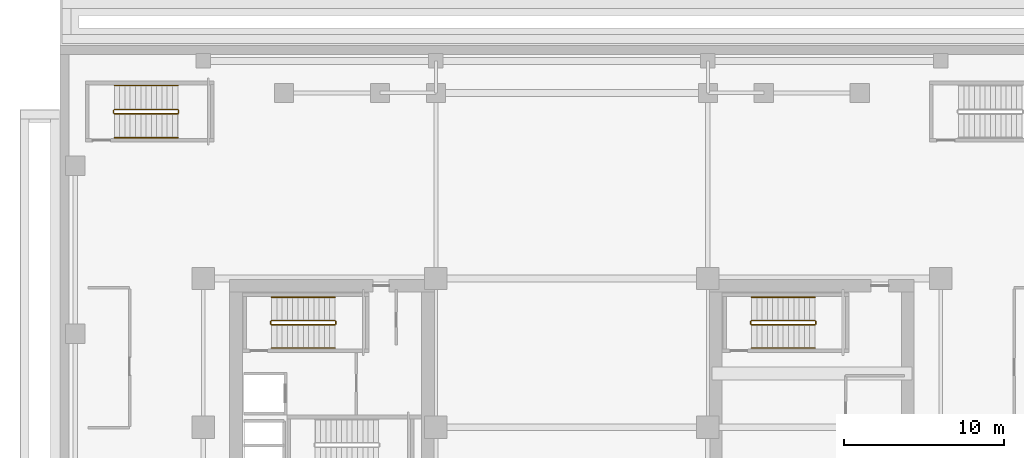
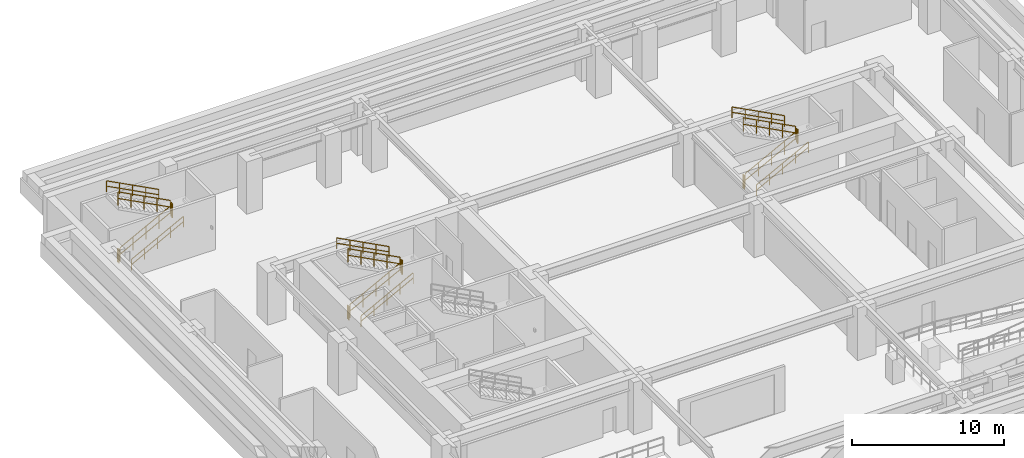
# One storey, part 8 of 9: 18 railings.
"""IFC4 building model written with IfcOpenShell, lengths in metres."""

from ifc_helpers import new_model, si_unit, direction, frame, origin, origin_2d, place, context, subcontext, project, spatial, rectangle, extrude, material, type_object, element, save


model = new_model("IFC4")

# Units and contexts
model_context = context("Model", 3, precision=1e-05, world=origin(), true_north=direction((0.0, 1.0)))
body_context = subcontext(model_context, "Body", "Model", "MODEL_VIEW")
ifc_project = project(units=[si_unit("LENGTHUNIT", "METRE"), si_unit("AREAUNIT", "SQUARE_METRE"), si_unit("VOLUMEUNIT", "CUBIC_METRE"), si_unit("PLANEANGLEUNIT", "RADIAN"), si_unit("MASSUNIT", "GRAM", prefix="KILO")], contexts=[model_context])

# Site, building, storey
site_placement = place(None, origin())
site = spatial("IfcSite", under=ifc_project, at=site_placement, CompositionType="ELEMENT")
building_placement = place(site_placement, origin())
building = spatial("IfcBuilding", under=site, at=building_placement, Name="Ocotamira Hotel", CompositionType="ELEMENT")
storey_placement = place(building_placement, frame((0.0, 0.0, -4.5)))
storey = spatial("IfcBuildingStorey", under=building, at=storey_placement, Name="B01", CompositionType="ELEMENT", Elevation=-4.5)

# Railings
ifc_material_1 = material(Name="Brushed stainless steel handrail", Category="steel")
railing_type_1 = type_object("IfcRailingType", Name="RL-HAND-900", PredefinedType="HANDRAIL", material=ifc_material_1)
railing_1_placement = place(storey_placement, frame((13.22998046875, 33.10009765625, 0.34619140625)))
element("IfcRailing", 1, at=railing_1_placement, inside=storey, type_object=railing_type_1, Name="B01 ST-2 stair handrail 1", PredefinedType="HANDRAIL", context=body_context, shape_type="SweptSolid", body=[
    extrude(rectangle(XDim=0.048095703125, YDim=0.048095703125, at=origin_2d()), frame((0.0, 0.0, 0.8759765625), z_axis=(0.885588829464, 0.0, 0.464470047611), x_axis=(0.0, 1.0, 0.0)), (0.0, 0.0, 1.0), 4.471435546875),
    extrude(rectangle(XDim=0.048095703125, YDim=0.048095703125, at=origin_2d()), frame((0.0, 0.0, 0.449951171875), z_axis=(0.885588829464, 0.0, 0.464470047611), x_axis=(0.0, 1.0, 0.0)), (0.0, 0.0, 1.0), 4.471435546875),
    extrude(rectangle(XDim=0.0419921875, YDim=0.0419921875, at=origin_2d()), origin(), (0.0, 0.0, 1.0), 0.851806640625),
    extrude(rectangle(XDim=0.0419921875, YDim=0.0419921875, at=origin_2d()), frame((0.989990234375, 0.0, 0.519287109375)), (0.0, 0.0, 1.0), 0.851806640625),
    extrude(rectangle(XDim=0.0419921875, YDim=0.0419921875, at=origin_2d()), frame((1.97998046875, 0.0, 1.03857421875)), (0.0, 0.0, 1.0), 0.851806640625),
    extrude(rectangle(XDim=0.0419921875, YDim=0.0419921875, at=origin_2d()), frame((2.969970703125, 0.0, 1.5576171875)), (0.0, 0.0, 1.0), 0.851806640625),
    extrude(rectangle(XDim=0.0419921875, YDim=0.0419921875, at=origin_2d()), frame((3.9599609375, 0.0, 2.076904296875)), (0.0, 0.0, 1.0), 0.851806640625),
])
railing_2_placement = place(storey_placement, frame((17.18994140625, 36.280029296875, 2.59619140625)))
element("IfcRailing", 2, at=railing_2_placement, inside=storey, type_object=railing_type_1, Name="B01 ST-2 stair handrail 2", PredefinedType="HANDRAIL", context=body_context, shape_type="SweptSolid", body=[
    extrude(rectangle(XDim=0.048095703125, YDim=0.048095703125, at=origin_2d()), frame((0.0, 0.0, 0.8759765625), z_axis=(-0.885588829464, 0.0, 0.464470047611), x_axis=(0.0, -1.0, 0.0)), (0.0, 0.0, 1.0), 4.471435546875),
    extrude(rectangle(XDim=0.048095703125, YDim=0.048095703125, at=origin_2d()), frame((0.0, 0.0, 0.449951171875), z_axis=(-0.885588829464, 0.0, 0.464470047611), x_axis=(0.0, -1.0, 0.0)), (0.0, 0.0, 1.0), 4.471435546875),
    extrude(rectangle(XDim=0.0419921875, YDim=0.0419921875, at=origin_2d()), origin(), (0.0, 0.0, 1.0), 0.851806640625),
    extrude(rectangle(XDim=0.0419921875, YDim=0.0419921875, at=origin_2d()), frame((-0.989990234375, 0.0, 0.519287109375)), (0.0, 0.0, 1.0), 0.851806640625),
    extrude(rectangle(XDim=0.0419921875, YDim=0.0419921875, at=origin_2d()), frame((-1.97998046875, 0.0, 1.03857421875)), (0.0, 0.0, 1.0), 0.851806640625),
    extrude(rectangle(XDim=0.0419921875, YDim=0.0419921875, at=origin_2d()), frame((-2.969970703125, 0.0, 1.5576171875)), (0.0, 0.0, 1.0), 0.851806640625),
    extrude(rectangle(XDim=0.0419921875, YDim=0.0419921875, at=origin_2d()), frame((-3.9599609375, 0.0, 2.076904296875)), (0.0, 0.0, 1.0), 0.851806640625),
])
railing_3_placement = place(storey_placement, frame((43.22998046875, 33.10009765625, 0.34619140625)))
element("IfcRailing", 3, at=railing_3_placement, inside=storey, type_object=railing_type_1, Name="B01 ST-4 stair handrail 1", PredefinedType="HANDRAIL", context=body_context, shape_type="SweptSolid", body=[
    extrude(rectangle(XDim=0.048095703125, YDim=0.048095703125, at=origin_2d()), frame((0.0, 0.0, 0.8759765625), z_axis=(0.885588829464, 0.0, 0.464470047611), x_axis=(0.0, 1.0, 0.0)), (0.0, 0.0, 1.0), 4.471435546875),
    extrude(rectangle(XDim=0.048095703125, YDim=0.048095703125, at=origin_2d()), frame((0.0, 0.0, 0.449951171875), z_axis=(0.885588829464, 0.0, 0.464470047611), x_axis=(0.0, 1.0, 0.0)), (0.0, 0.0, 1.0), 4.471435546875),
    extrude(rectangle(XDim=0.0419921875, YDim=0.0419921875, at=origin_2d()), origin(), (0.0, 0.0, 1.0), 0.851806640625),
    extrude(rectangle(XDim=0.0419921875, YDim=0.0419921875, at=origin_2d()), frame((0.989990234375, 0.0, 0.519287109375)), (0.0, 0.0, 1.0), 0.851806640625),
    extrude(rectangle(XDim=0.0419921875, YDim=0.0419921875, at=origin_2d()), frame((1.97998046875, 0.0, 1.03857421875)), (0.0, 0.0, 1.0), 0.851806640625),
    extrude(rectangle(XDim=0.0419921875, YDim=0.0419921875, at=origin_2d()), frame((2.969970703125, 0.0, 1.5576171875)), (0.0, 0.0, 1.0), 0.851806640625),
    extrude(rectangle(XDim=0.0419921875, YDim=0.0419921875, at=origin_2d()), frame((3.9599609375, 0.0, 2.076904296875)), (0.0, 0.0, 1.0), 0.851806640625),
])
railing_4_placement = place(storey_placement, frame((47.18994140625, 36.280029296875, 2.59619140625)))
element("IfcRailing", 4, at=railing_4_placement, inside=storey, type_object=railing_type_1, Name="B01 ST-4 stair handrail 2", PredefinedType="HANDRAIL", context=body_context, shape_type="SweptSolid", body=[
    extrude(rectangle(XDim=0.048095703125, YDim=0.048095703125, at=origin_2d()), frame((0.0, 0.0, 0.8759765625), z_axis=(-0.885588829464, 0.0, 0.464470047611), x_axis=(0.0, -1.0, 0.0)), (0.0, 0.0, 1.0), 4.471435546875),
    extrude(rectangle(XDim=0.048095703125, YDim=0.048095703125, at=origin_2d()), frame((0.0, 0.0, 0.449951171875), z_axis=(-0.885588829464, 0.0, 0.464470047611), x_axis=(0.0, -1.0, 0.0)), (0.0, 0.0, 1.0), 4.471435546875),
    extrude(rectangle(XDim=0.0419921875, YDim=0.0419921875, at=origin_2d()), origin(), (0.0, 0.0, 1.0), 0.851806640625),
    extrude(rectangle(XDim=0.0419921875, YDim=0.0419921875, at=origin_2d()), frame((-0.989990234375, 0.0, 0.519287109375)), (0.0, 0.0, 1.0), 0.851806640625),
    extrude(rectangle(XDim=0.0419921875, YDim=0.0419921875, at=origin_2d()), frame((-1.97998046875, 0.0, 1.03857421875)), (0.0, 0.0, 1.0), 0.851806640625),
    extrude(rectangle(XDim=0.0419921875, YDim=0.0419921875, at=origin_2d()), frame((-2.969970703125, 0.0, 1.5576171875)), (0.0, 0.0, 1.0), 0.851806640625),
    extrude(rectangle(XDim=0.0419921875, YDim=0.0419921875, at=origin_2d()), frame((-3.9599609375, 0.0, 2.076904296875)), (0.0, 0.0, 1.0), 0.851806640625),
])
railing_5_placement = place(storey_placement, frame((3.39990234375, 46.25, 0.34619140625)))
element("IfcRailing", 5, at=railing_5_placement, inside=storey, type_object=railing_type_1, Name="B01 ST-5 stair handrail 1", PredefinedType="HANDRAIL", context=body_context, shape_type="SweptSolid", body=[
    extrude(rectangle(XDim=0.048095703125, YDim=0.048095703125, at=origin_2d()), frame((0.0, 0.0, 0.8759765625), z_axis=(0.885600607292, 0.0, 0.464447590545), x_axis=(0.0, 1.0, 0.0)), (0.0, 0.0, 1.0), 4.4716796875),
    extrude(rectangle(XDim=0.048095703125, YDim=0.048095703125, at=origin_2d()), frame((0.0, 0.0, 0.449951171875), z_axis=(0.885600607292, 0.0, 0.464447590545), x_axis=(0.0, 1.0, 0.0)), (0.0, 0.0, 1.0), 4.4716796875),
    extrude(rectangle(XDim=0.0419921875, YDim=0.0419921875, at=origin_2d()), origin(), (0.0, 0.0, 1.0), 0.851806640625),
    extrude(rectangle(XDim=0.0419921875, YDim=0.0419921875, at=origin_2d()), frame((0.989990234375, 0.0, 0.519287109375)), (0.0, 0.0, 1.0), 0.851806640625),
    extrude(rectangle(XDim=0.0419921875, YDim=0.0419921875, at=origin_2d()), frame((1.97998046875, 0.0, 1.03857421875)), (0.0, 0.0, 1.0), 0.851806640625),
    extrude(rectangle(XDim=0.0419921875, YDim=0.0419921875, at=origin_2d()), frame((2.97021484375, 0.0, 1.5576171875)), (0.0, 0.0, 1.0), 0.851806640625),
    extrude(rectangle(XDim=0.0419921875, YDim=0.0419921875, at=origin_2d()), frame((3.960205078125, 0.0, 2.076904296875)), (0.0, 0.0, 1.0), 0.851806640625),
])
railing_6_placement = place(storey_placement, frame((7.360107421875, 49.510009765625, 2.59619140625)))
element("IfcRailing", 6, at=railing_6_placement, inside=storey, type_object=railing_type_1, Name="B01 ST-5 stair handrail 2", PredefinedType="HANDRAIL", context=body_context, shape_type="SweptSolid", body=[
    extrude(rectangle(XDim=0.048095703125, YDim=0.048095703125, at=origin_2d()), frame((0.0, 0.0, 0.8759765625), z_axis=(-0.885600607292, 0.0, 0.464447590545), x_axis=(0.0, -1.0, 0.0)), (0.0, 0.0, 1.0), 4.4716796875),
    extrude(rectangle(XDim=0.048095703125, YDim=0.048095703125, at=origin_2d()), frame((0.0, 0.0, 0.449951171875), z_axis=(-0.885600607292, 0.0, 0.464447590545), x_axis=(0.0, -1.0, 0.0)), (0.0, 0.0, 1.0), 4.4716796875),
    extrude(rectangle(XDim=0.0419921875, YDim=0.0419921875, at=origin_2d()), origin(), (0.0, 0.0, 1.0), 0.851806640625),
    extrude(rectangle(XDim=0.0419921875, YDim=0.0419921875, at=origin_2d()), frame((-0.989990234375, 0.0, 0.519287109375)), (0.0, 0.0, 1.0), 0.851806640625),
    extrude(rectangle(XDim=0.0419921875, YDim=0.0419921875, at=origin_2d()), frame((-1.97998046875, 0.0, 1.03857421875)), (0.0, 0.0, 1.0), 0.851806640625),
    extrude(rectangle(XDim=0.0419921875, YDim=0.0419921875, at=origin_2d()), frame((-2.97021484375, 0.0, 1.5576171875)), (0.0, 0.0, 1.0), 0.851806640625),
    extrude(rectangle(XDim=0.0419921875, YDim=0.0419921875, at=origin_2d()), frame((-3.960205078125, 0.0, 2.076904296875)), (0.0, 0.0, 1.0), 0.851806640625),
])
ifc_material_2 = material(Name="Painted steel stair guardrail", Category="steel")
railing_type_2 = type_object("IfcRailingType", Name="RL-STAIR-1100", PredefinedType="GUARDRAIL", material=ifc_material_2)
railing_7_placement = place(storey_placement, frame((13.22998046875, 34.56005859375, 0.173095703125)))
element("IfcRailing", 7, at=railing_7_placement, inside=storey, type_object=railing_type_2, Name="B01 ST-2 stair guard 1", PredefinedType="GUARDRAIL", context=body_context, shape_type="SweptSolid", body=[
    extrude(rectangle(XDim=0.048095703125, YDim=0.048095703125, at=origin_2d()), frame((0.0, 0.0, 1.076171875), z_axis=(0.885588829464, 0.0, 0.464470047611), x_axis=(0.0, 1.0, 0.0)), (0.0, 0.0, 1.0), 4.471435546875),
    extrude(rectangle(XDim=0.048095703125, YDim=0.048095703125, at=origin_2d()), frame((0.0, 0.0, 0.550048828125), z_axis=(0.885588829464, 0.0, 0.464470047611), x_axis=(0.0, 1.0, 0.0)), (0.0, 0.0, 1.0), 4.471435546875),
    extrude(rectangle(XDim=0.0419921875, YDim=0.0419921875, at=origin_2d()), origin(), (0.0, 0.0, 1.0), 1.052001953125),
    extrude(rectangle(XDim=0.0419921875, YDim=0.0419921875, at=origin_2d()), frame((0.989990234375, 0.0, 0.519287109375)), (0.0, 0.0, 1.0), 1.052001953125),
    extrude(rectangle(XDim=0.0419921875, YDim=0.0419921875, at=origin_2d()), frame((1.97998046875, 0.0, 1.03857421875)), (0.0, 0.0, 1.0), 1.052001953125),
    extrude(rectangle(XDim=0.0419921875, YDim=0.0419921875, at=origin_2d()), frame((2.969970703125, 0.0, 1.5576171875)), (0.0, 0.0, 1.0), 1.052001953125),
    extrude(rectangle(XDim=0.0419921875, YDim=0.0419921875, at=origin_2d()), frame((3.9599609375, 0.0, 2.076904296875)), (0.0, 0.0, 1.0), 1.052001953125),
])
railing_8_placement = place(storey_placement, frame((17.239990234375, 34.610107421875, 2.25)))
element("IfcRailing", 8, at=railing_8_placement, inside=storey, type_object=railing_type_2, Name="B01 ST-2 stair guard 2", PredefinedType="GUARDRAIL", context=body_context, shape_type="SweptSolid", body=[
    extrude(rectangle(XDim=0.048095703125, YDim=0.048095703125, at=origin_2d()), frame((0.0, 0.0, 1.076171875), z_axis=(0.0, 1.0, 0.0), x_axis=(-1.0, 0.0, 0.0)), (0.0, 0.0, 1.0), 0.159912109375),
    extrude(rectangle(XDim=0.048095703125, YDim=0.048095703125, at=origin_2d()), frame((0.0, 0.0, 0.550048828125), z_axis=(0.0, 1.0, 0.0), x_axis=(-1.0, 0.0, 0.0)), (0.0, 0.0, 1.0), 0.159912109375),
    extrude(rectangle(XDim=0.0419921875, YDim=0.0419921875, at=origin_2d()), origin(), (0.0, 0.0, 1.0), 1.052001953125),
    extrude(rectangle(XDim=0.0419921875, YDim=0.0419921875, at=origin_2d()), frame((0.0, 0.159912109375, 0.0)), (0.0, 0.0, 1.0), 1.052001953125),
])
railing_9_placement = place(storey_placement, frame((17.18994140625, 34.820068359375, 2.423095703125)))
element("IfcRailing", 9, at=railing_9_placement, inside=storey, type_object=railing_type_2, Name="B01 ST-2 stair guard 3", PredefinedType="GUARDRAIL", context=body_context, shape_type="SweptSolid", body=[
    extrude(rectangle(XDim=0.048095703125, YDim=0.048095703125, at=origin_2d()), frame((0.0, 0.0, 1.076171875), z_axis=(-0.885588829464, 0.0, 0.464470047611), x_axis=(0.0, -1.0, 0.0)), (0.0, 0.0, 1.0), 4.471435546875),
    extrude(rectangle(XDim=0.048095703125, YDim=0.048095703125, at=origin_2d()), frame((0.0, 0.0, 0.550048828125), z_axis=(-0.885588829464, 0.0, 0.464470047611), x_axis=(0.0, -1.0, 0.0)), (0.0, 0.0, 1.0), 4.471435546875),
    extrude(rectangle(XDim=0.0419921875, YDim=0.0419921875, at=origin_2d()), origin(), (0.0, 0.0, 1.0), 1.052001953125),
    extrude(rectangle(XDim=0.0419921875, YDim=0.0419921875, at=origin_2d()), frame((-0.989990234375, 0.0, 0.519287109375)), (0.0, 0.0, 1.0), 1.052001953125),
    extrude(rectangle(XDim=0.0419921875, YDim=0.0419921875, at=origin_2d()), frame((-1.97998046875, 0.0, 1.03857421875)), (0.0, 0.0, 1.0), 1.052001953125),
    extrude(rectangle(XDim=0.0419921875, YDim=0.0419921875, at=origin_2d()), frame((-2.969970703125, 0.0, 1.5576171875)), (0.0, 0.0, 1.0), 1.052001953125),
    extrude(rectangle(XDim=0.0419921875, YDim=0.0419921875, at=origin_2d()), frame((-3.9599609375, 0.0, 2.076904296875)), (0.0, 0.0, 1.0), 1.052001953125),
])
railing_10_placement = place(storey_placement, frame((13.179931640625, 34.610107421875, 0.0)))
element("IfcRailing", 10, at=railing_10_placement, inside=storey, type_object=railing_type_2, Name="B01 ST-2 stair guard 4", PredefinedType="GUARDRAIL", context=body_context, shape_type="SweptSolid", body=[
    extrude(rectangle(XDim=0.048095703125, YDim=0.048095703125, at=origin_2d()), frame((0.0, 0.0, 1.076171875), z_axis=(0.0, 1.0, 0.0), x_axis=(-1.0, 0.0, 0.0)), (0.0, 0.0, 1.0), 0.159912109375),
    extrude(rectangle(XDim=0.048095703125, YDim=0.048095703125, at=origin_2d()), frame((0.0, 0.0, 0.550048828125), z_axis=(0.0, 1.0, 0.0), x_axis=(-1.0, 0.0, 0.0)), (0.0, 0.0, 1.0), 0.159912109375),
    extrude(rectangle(XDim=0.0419921875, YDim=0.0419921875, at=origin_2d()), origin(), (0.0, 0.0, 1.0), 1.052001953125),
    extrude(rectangle(XDim=0.0419921875, YDim=0.0419921875, at=origin_2d()), frame((0.0, 0.159912109375, 0.0)), (0.0, 0.0, 1.0), 1.052001953125),
])
railing_11_placement = place(storey_placement, frame((43.22998046875, 34.56005859375, 0.173095703125)))
element("IfcRailing", 11, at=railing_11_placement, inside=storey, type_object=railing_type_2, Name="B01 ST-4 stair guard 1", PredefinedType="GUARDRAIL", context=body_context, shape_type="SweptSolid", body=[
    extrude(rectangle(XDim=0.048095703125, YDim=0.048095703125, at=origin_2d()), frame((0.0, 0.0, 1.076171875), z_axis=(0.885588829464, 0.0, 0.464470047611), x_axis=(0.0, 1.0, 0.0)), (0.0, 0.0, 1.0), 4.471435546875),
    extrude(rectangle(XDim=0.048095703125, YDim=0.048095703125, at=origin_2d()), frame((0.0, 0.0, 0.550048828125), z_axis=(0.885588829464, 0.0, 0.464470047611), x_axis=(0.0, 1.0, 0.0)), (0.0, 0.0, 1.0), 4.471435546875),
    extrude(rectangle(XDim=0.0419921875, YDim=0.0419921875, at=origin_2d()), origin(), (0.0, 0.0, 1.0), 1.052001953125),
    extrude(rectangle(XDim=0.0419921875, YDim=0.0419921875, at=origin_2d()), frame((0.989990234375, 0.0, 0.519287109375)), (0.0, 0.0, 1.0), 1.052001953125),
    extrude(rectangle(XDim=0.0419921875, YDim=0.0419921875, at=origin_2d()), frame((1.97998046875, 0.0, 1.03857421875)), (0.0, 0.0, 1.0), 1.052001953125),
    extrude(rectangle(XDim=0.0419921875, YDim=0.0419921875, at=origin_2d()), frame((2.969970703125, 0.0, 1.5576171875)), (0.0, 0.0, 1.0), 1.052001953125),
    extrude(rectangle(XDim=0.0419921875, YDim=0.0419921875, at=origin_2d()), frame((3.9599609375, 0.0, 2.076904296875)), (0.0, 0.0, 1.0), 1.052001953125),
])
railing_12_placement = place(storey_placement, frame((47.239990234375, 34.610107421875, 2.25)))
element("IfcRailing", 12, at=railing_12_placement, inside=storey, type_object=railing_type_2, Name="B01 ST-4 stair guard 2", PredefinedType="GUARDRAIL", context=body_context, shape_type="SweptSolid", body=[
    extrude(rectangle(XDim=0.048095703125, YDim=0.048095703125, at=origin_2d()), frame((0.0, 0.0, 1.076171875), z_axis=(0.0, 1.0, 0.0), x_axis=(-1.0, 0.0, 0.0)), (0.0, 0.0, 1.0), 0.159912109375),
    extrude(rectangle(XDim=0.048095703125, YDim=0.048095703125, at=origin_2d()), frame((0.0, 0.0, 0.550048828125), z_axis=(0.0, 1.0, 0.0), x_axis=(-1.0, 0.0, 0.0)), (0.0, 0.0, 1.0), 0.159912109375),
    extrude(rectangle(XDim=0.0419921875, YDim=0.0419921875, at=origin_2d()), origin(), (0.0, 0.0, 1.0), 1.052001953125),
    extrude(rectangle(XDim=0.0419921875, YDim=0.0419921875, at=origin_2d()), frame((0.0, 0.159912109375, 0.0)), (0.0, 0.0, 1.0), 1.052001953125),
])
railing_13_placement = place(storey_placement, frame((47.18994140625, 34.820068359375, 2.423095703125)))
element("IfcRailing", 13, at=railing_13_placement, inside=storey, type_object=railing_type_2, Name="B01 ST-4 stair guard 3", PredefinedType="GUARDRAIL", context=body_context, shape_type="SweptSolid", body=[
    extrude(rectangle(XDim=0.048095703125, YDim=0.048095703125, at=origin_2d()), frame((0.0, 0.0, 1.076171875), z_axis=(-0.885588829464, 0.0, 0.464470047611), x_axis=(0.0, -1.0, 0.0)), (0.0, 0.0, 1.0), 4.471435546875),
    extrude(rectangle(XDim=0.048095703125, YDim=0.048095703125, at=origin_2d()), frame((0.0, 0.0, 0.550048828125), z_axis=(-0.885588829464, 0.0, 0.464470047611), x_axis=(0.0, -1.0, 0.0)), (0.0, 0.0, 1.0), 4.471435546875),
    extrude(rectangle(XDim=0.0419921875, YDim=0.0419921875, at=origin_2d()), origin(), (0.0, 0.0, 1.0), 1.052001953125),
    extrude(rectangle(XDim=0.0419921875, YDim=0.0419921875, at=origin_2d()), frame((-0.989990234375, 0.0, 0.519287109375)), (0.0, 0.0, 1.0), 1.052001953125),
    extrude(rectangle(XDim=0.0419921875, YDim=0.0419921875, at=origin_2d()), frame((-1.97998046875, 0.0, 1.03857421875)), (0.0, 0.0, 1.0), 1.052001953125),
    extrude(rectangle(XDim=0.0419921875, YDim=0.0419921875, at=origin_2d()), frame((-2.969970703125, 0.0, 1.5576171875)), (0.0, 0.0, 1.0), 1.052001953125),
    extrude(rectangle(XDim=0.0419921875, YDim=0.0419921875, at=origin_2d()), frame((-3.9599609375, 0.0, 2.076904296875)), (0.0, 0.0, 1.0), 1.052001953125),
])
railing_14_placement = place(storey_placement, frame((43.179931640625, 34.610107421875, 0.0)))
element("IfcRailing", 14, at=railing_14_placement, inside=storey, type_object=railing_type_2, Name="B01 ST-4 stair guard 4", PredefinedType="GUARDRAIL", context=body_context, shape_type="SweptSolid", body=[
    extrude(rectangle(XDim=0.048095703125, YDim=0.048095703125, at=origin_2d()), frame((0.0, 0.0, 1.076171875), z_axis=(0.0, 1.0, 0.0), x_axis=(-1.0, 0.0, 0.0)), (0.0, 0.0, 1.0), 0.159912109375),
    extrude(rectangle(XDim=0.048095703125, YDim=0.048095703125, at=origin_2d()), frame((0.0, 0.0, 0.550048828125), z_axis=(0.0, 1.0, 0.0), x_axis=(-1.0, 0.0, 0.0)), (0.0, 0.0, 1.0), 0.159912109375),
    extrude(rectangle(XDim=0.0419921875, YDim=0.0419921875, at=origin_2d()), origin(), (0.0, 0.0, 1.0), 1.052001953125),
    extrude(rectangle(XDim=0.0419921875, YDim=0.0419921875, at=origin_2d()), frame((0.0, 0.159912109375, 0.0)), (0.0, 0.0, 1.0), 1.052001953125),
])
railing_15_placement = place(storey_placement, frame((3.39990234375, 47.75, 0.173095703125)))
element("IfcRailing", 15, at=railing_15_placement, inside=storey, type_object=railing_type_2, Name="B01 ST-5 stair guard 1", PredefinedType="GUARDRAIL", context=body_context, shape_type="SweptSolid", body=[
    extrude(rectangle(XDim=0.048095703125, YDim=0.048095703125, at=origin_2d()), frame((0.0, 0.0, 1.076171875), z_axis=(0.885600607292, 0.0, 0.464447590545), x_axis=(0.0, 1.0, 0.0)), (0.0, 0.0, 1.0), 4.4716796875),
    extrude(rectangle(XDim=0.048095703125, YDim=0.048095703125, at=origin_2d()), frame((0.0, 0.0, 0.550048828125), z_axis=(0.885600607292, 0.0, 0.464447590545), x_axis=(0.0, 1.0, 0.0)), (0.0, 0.0, 1.0), 4.4716796875),
    extrude(rectangle(XDim=0.0419921875, YDim=0.0419921875, at=origin_2d()), origin(), (0.0, 0.0, 1.0), 1.052001953125),
    extrude(rectangle(XDim=0.0419921875, YDim=0.0419921875, at=origin_2d()), frame((0.989990234375, 0.0, 0.519287109375)), (0.0, 0.0, 1.0), 1.052001953125),
    extrude(rectangle(XDim=0.0419921875, YDim=0.0419921875, at=origin_2d()), frame((1.97998046875, 0.0, 1.03857421875)), (0.0, 0.0, 1.0), 1.052001953125),
    extrude(rectangle(XDim=0.0419921875, YDim=0.0419921875, at=origin_2d()), frame((2.97021484375, 0.0, 1.5576171875)), (0.0, 0.0, 1.0), 1.052001953125),
    extrude(rectangle(XDim=0.0419921875, YDim=0.0419921875, at=origin_2d()), frame((3.960205078125, 0.0, 2.076904296875)), (0.0, 0.0, 1.0), 1.052001953125),
])
railing_16_placement = place(storey_placement, frame((7.409912109375, 47.800048828125, 2.25)))
element("IfcRailing", 16, at=railing_16_placement, inside=storey, type_object=railing_type_2, Name="B01 ST-5 stair guard 2", PredefinedType="GUARDRAIL", context=body_context, shape_type="SweptSolid", body=[
    extrude(rectangle(XDim=0.048095703125, YDim=0.048095703125, at=origin_2d()), frame((0.0, 0.0, 1.076171875), z_axis=(0.0, 1.0, 0.0), x_axis=(-1.0, 0.0, 0.0)), (0.0, 0.0, 1.0), 0.159912109375),
    extrude(rectangle(XDim=0.048095703125, YDim=0.048095703125, at=origin_2d()), frame((0.0, 0.0, 0.550048828125), z_axis=(0.0, 1.0, 0.0), x_axis=(-1.0, 0.0, 0.0)), (0.0, 0.0, 1.0), 0.159912109375),
    extrude(rectangle(XDim=0.0419921875, YDim=0.0419921875, at=origin_2d()), origin(), (0.0, 0.0, 1.0), 1.052001953125),
    extrude(rectangle(XDim=0.0419921875, YDim=0.0419921875, at=origin_2d()), frame((0.0, 0.159912109375, 0.0)), (0.0, 0.0, 1.0), 1.052001953125),
])
railing_17_placement = place(storey_placement, frame((7.360107421875, 48.010009765625, 2.423095703125)))
element("IfcRailing", 17, at=railing_17_placement, inside=storey, type_object=railing_type_2, Name="B01 ST-5 stair guard 3", PredefinedType="GUARDRAIL", context=body_context, shape_type="SweptSolid", body=[
    extrude(rectangle(XDim=0.048095703125, YDim=0.048095703125, at=origin_2d()), frame((0.0, 0.0, 1.076171875), z_axis=(-0.885600607292, 0.0, 0.464447590545), x_axis=(0.0, -1.0, 0.0)), (0.0, 0.0, 1.0), 4.4716796875),
    extrude(rectangle(XDim=0.048095703125, YDim=0.048095703125, at=origin_2d()), frame((0.0, 0.0, 0.550048828125), z_axis=(-0.885600607292, 0.0, 0.464447590545), x_axis=(0.0, -1.0, 0.0)), (0.0, 0.0, 1.0), 4.4716796875),
    extrude(rectangle(XDim=0.0419921875, YDim=0.0419921875, at=origin_2d()), origin(), (0.0, 0.0, 1.0), 1.052001953125),
    extrude(rectangle(XDim=0.0419921875, YDim=0.0419921875, at=origin_2d()), frame((-0.989990234375, 0.0, 0.519287109375)), (0.0, 0.0, 1.0), 1.052001953125),
    extrude(rectangle(XDim=0.0419921875, YDim=0.0419921875, at=origin_2d()), frame((-1.97998046875, 0.0, 1.03857421875)), (0.0, 0.0, 1.0), 1.052001953125),
    extrude(rectangle(XDim=0.0419921875, YDim=0.0419921875, at=origin_2d()), frame((-2.97021484375, 0.0, 1.5576171875)), (0.0, 0.0, 1.0), 1.052001953125),
    extrude(rectangle(XDim=0.0419921875, YDim=0.0419921875, at=origin_2d()), frame((-3.960205078125, 0.0, 2.076904296875)), (0.0, 0.0, 1.0), 1.052001953125),
])
railing_18_placement = place(storey_placement, frame((3.35009765625, 47.800048828125, 0.0)))
element("IfcRailing", 18, at=railing_18_placement, inside=storey, type_object=railing_type_2, Name="B01 ST-5 stair guard 4", PredefinedType="GUARDRAIL", context=body_context, shape_type="SweptSolid", body=[
    extrude(rectangle(XDim=0.048095703125, YDim=0.048095703125, at=origin_2d()), frame((0.0, 0.0, 1.076171875), z_axis=(0.0, 1.0, 0.0), x_axis=(-1.0, 0.0, 0.0)), (0.0, 0.0, 1.0), 0.159912109375),
    extrude(rectangle(XDim=0.048095703125, YDim=0.048095703125, at=origin_2d()), frame((0.0, 0.0, 0.550048828125), z_axis=(0.0, 1.0, 0.0), x_axis=(-1.0, 0.0, 0.0)), (0.0, 0.0, 1.0), 0.159912109375),
    extrude(rectangle(XDim=0.0419921875, YDim=0.0419921875, at=origin_2d()), origin(), (0.0, 0.0, 1.0), 1.052001953125),
    extrude(rectangle(XDim=0.0419921875, YDim=0.0419921875, at=origin_2d()), frame((0.0, 0.159912109375, 0.0)), (0.0, 0.0, 1.0), 1.052001953125),
])

save(model, "model.ifc")
